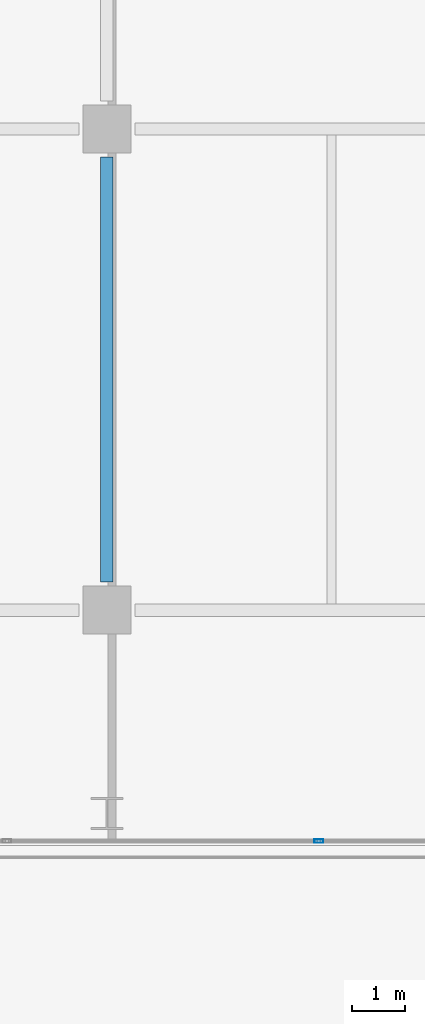
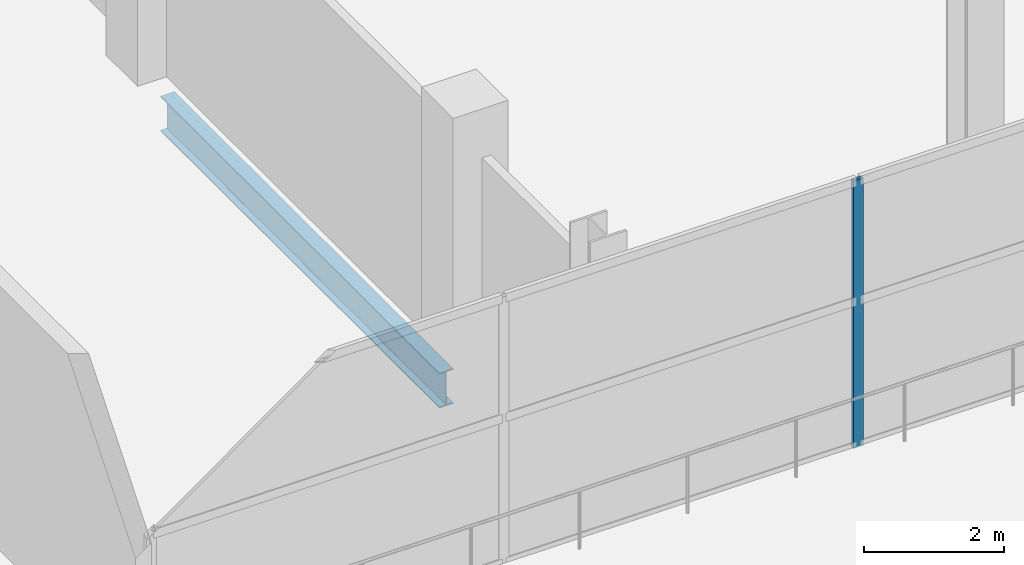
# One storey, part 4 of 31: 1 beam, 1 member, 1 element without a shape of its own.
"""IFC4 building model written with IfcOpenShell, lengths in metres."""

from ifc_helpers import new_model, si_unit, direction, frame, origin, origin_2d, place, context, subcontext, project, spatial, hollow_rectangle, i_section, extrude, material, layer, layer_set, material_profile, profile_set, type_object, element, aggregate, save


model = new_model("IFC4")

# Units and contexts
model_context = context("Model", 3, precision=1e-05, world=origin(), true_north=direction((0.0, 1.0)))
body_context = subcontext(model_context, "Body", "Model", "MODEL_VIEW")
ifc_project = project(units=[si_unit("LENGTHUNIT", "METRE"), si_unit("AREAUNIT", "SQUARE_METRE"), si_unit("VOLUMEUNIT", "CUBIC_METRE"), si_unit("PLANEANGLEUNIT", "RADIAN"), si_unit("MASSUNIT", "GRAM", prefix="KILO")], contexts=[model_context])

# Site, building, storey
site_placement = place(None, origin())
site = spatial("IfcSite", under=ifc_project, at=site_placement, CompositionType="ELEMENT")
building_placement = place(site_placement, origin())
building = spatial("IfcBuilding", under=site, at=building_placement, Name="Maruvema Waterfront Hotel and Observation Tower", CompositionType="ELEMENT")
storey_placement = place(building_placement, frame((0.0, 0.0, 122.5)))
storey = spatial("IfcBuildingStorey", under=building, at=storey_placement, Name="L29", CompositionType="ELEMENT", Elevation=122.5)

# Curtain wall, member
ifc_material_1 = material(Name="Anodised bronze aluminium and solar-control low-E IGU", Category="aluminium")
ifc_layer = layer(ifc_material_1, 0.159912109375, Name="Zone 2 Amber Inner Thermal Curtain Wall System CW-03")
ifc_layer_set = layer_set([ifc_layer], Name="Anodised bronze aluminium and solar-control low-E IGU")
curtain_wall_type = type_object("IfcCurtainWallType", Name="Zone 2 Amber Inner Thermal Curtain Wall System CW-03", PredefinedType="USERDEFINED", material=ifc_layer_set)
curtain_wall_placement = place(storey_placement, origin())
curtain_wall = element("IfcCurtainWall", 1, at=curtain_wall_placement, inside=storey, type_object=curtain_wall_type, Name="L29 Curtain Wall CW-L29-SW", ObjectType="UNITISED CURTAIN WALL", PredefinedType="USERDEFINED")
ifc_material_2 = material(Name="Anodised architectural bronze aluminium", Category="aluminium")
ifc_material_profile_1 = material_profile(ifc_material_2, hollow_rectangle(XDim=0.06494140625, YDim=0.1650390625, WallThickness=0.00390625, at=origin_2d()), Name="ALU-M65x165")
ifc_profile_set_1 = profile_set([ifc_material_profile_1], Name="Anodised architectural bronze aluminium")
member_type = type_object("IfcMemberType", Name="Curtain Wall Primary Mullion ALU-M65x165", PredefinedType="MULLION", material=ifc_profile_set_1)
member_placement = place(storey_placement, frame((29.166748046875, 4.679931640625, 0.0), z_axis=(0.0, 0.0, 1.0), x_axis=(0.0, 1.0, 0.0)))
member = element("IfcMember", 2, at=member_placement, type_object=member_type, Name="CW-03 mullion 3", PredefinedType="MULLION", context=body_context, shape_type="SweptSolid", body=[
    extrude(hollow_rectangle(XDim=0.06494140625, YDim=0.1650390625, WallThickness=0.00390625, at=origin_2d()), origin(), (0.0, 0.0, 1.0), 4.659912109375),
])
aggregate(curtain_wall, [member])

# Beam
ifc_material_3 = material(Name="Steel ASTM A572 Grade 50", Category="steel")
ifc_material_profile_2 = material_profile(ifc_material_3, i_section(OverallWidth=0.22900390625, OverallDepth=0.612060546875, WebThickness=0.011962890625, FlangeThickness=0.01953125, FilletRadius=0.01806640625, at=origin_2d()), Name="W610x125.0")
ifc_profile_set_2 = profile_set([ifc_material_profile_2], Name="Steel ASTM A572 Grade 50")
beam_type = type_object("IfcBeamType", Name="Primary Floor Girder W610x125.0", PredefinedType="BEAM", material=ifc_profile_set_2)
beam_placement = place(storey_placement, frame((25.199951171875, 9.52490234375, -0.5458984375), z_axis=(0.0, 1.0, 0.0), x_axis=(-1.0, 0.0, 0.0)))
element("IfcBeam", 3, at=beam_placement, inside=storey, type_object=beam_type, Name="L29 Floor Girder NS-05", PredefinedType="BEAM", context=body_context, shape_type="SweptSolid", body=[
    extrude(i_section(OverallWidth=0.22900390625, OverallDepth=0.612060546875, WebThickness=0.011962890625, FlangeThickness=0.01953125, FilletRadius=0.01806640625, at=origin_2d()), origin(), (0.0, 0.0, 1.0), 7.9501953125),
])

save(model, "model.ifc")
